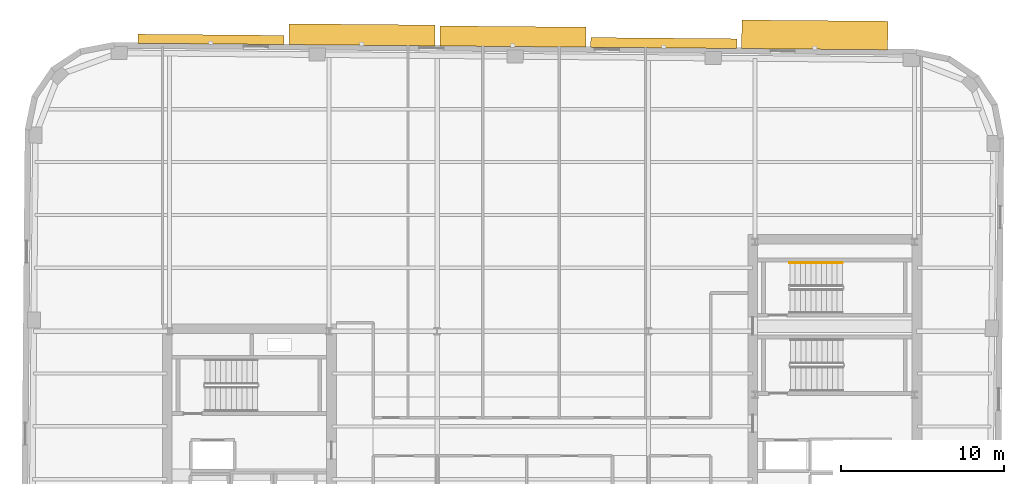
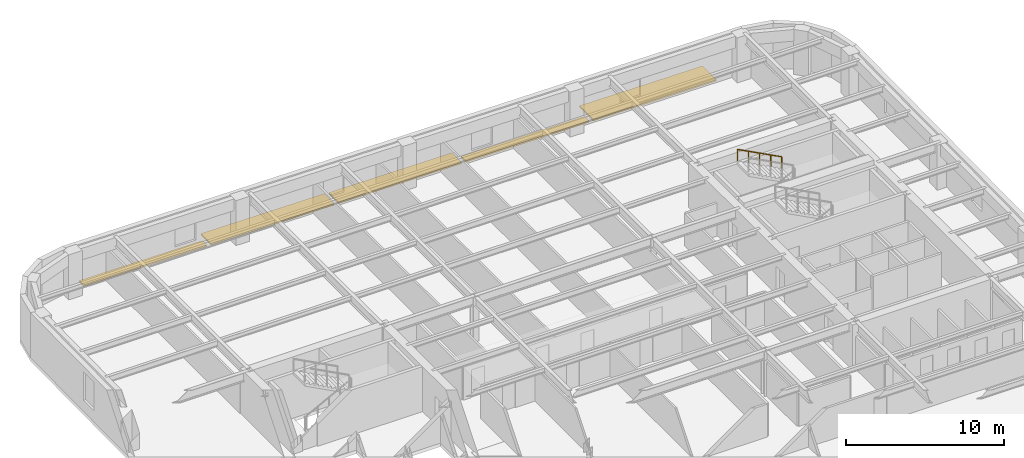
# One storey, part 11 of 11: 5 shading devices, 1 railing.
"""IFC4 building model written with IfcOpenShell, lengths in metres."""

from ifc_helpers import new_model, si_unit, direction, frame, origin, origin_2d, place, context, subcontext, project, spatial, rectangle, circle, extrude, material, type_object, element, save


model = new_model("IFC4")

# Units and contexts
model_context = context("Model", 3, precision=1e-05, world=origin(), true_north=direction((0.0, 1.0)))
body_context = subcontext(model_context, "Body", "Model", "MODEL_VIEW")
ifc_project = project(units=[si_unit("LENGTHUNIT", "METRE"), si_unit("AREAUNIT", "SQUARE_METRE"), si_unit("VOLUMEUNIT", "CUBIC_METRE"), si_unit("PLANEANGLEUNIT", "RADIAN"), si_unit("MASSUNIT", "GRAM", prefix="KILO")], contexts=[model_context])

# Site, building, storey
site_placement = place(None, origin())
site = spatial("IfcSite", under=ifc_project, at=site_placement, CompositionType="ELEMENT")
building_placement = place(site_placement, origin())
building = spatial("IfcBuilding", under=site, at=building_placement, Name="Kolvaren Arena Tower", CompositionType="ELEMENT")
storey_placement = place(building_placement, frame((0.0, 0.0, 184.699951171875)))
storey = spatial("IfcBuildingStorey", under=building, at=storey_placement, Name="L44", CompositionType="ELEMENT", Elevation=184.699951171875)

# Railing
ifc_material_1 = material(Name="Brushed stainless steel handrail", Category="steel")
railing_type = type_object("IfcRailingType", Name="HRAIL-900", PredefinedType="HANDRAIL", material=ifc_material_1)
railing_placement = place(storey_placement, frame((55.919921875, 38.050048828125, 2.04541015625)))
element("IfcRailing", 1, at=railing_placement, inside=storey, type_object=railing_type, Name="L44 ST-E2 stair handrail 2", PredefinedType="HANDRAIL", context=body_context, shape_type="SweptSolid", body=[
    extrude(circle(Radius=0.02392578125, at=origin_2d()), frame((0.0, 0.0, 0.8759765625), z_axis=(-0.884993431791, 0.0, 0.465603506952), x_axis=(0.0, -1.0, 0.0)), (0.0, 0.0, 1.0), 3.6611328125),
    extrude(circle(Radius=0.02099609375, at=origin_2d()), origin(), (0.0, 0.0, 1.0), 0.851806640625),
    extrude(circle(Radius=0.02099609375, at=origin_2d()), frame((-0.81005859375, 0.0, 0.42626953125)), (0.0, 0.0, 1.0), 0.851806640625),
    extrude(circle(Radius=0.02099609375, at=origin_2d()), frame((-1.6201171875, 0.0, 0.852294921875)), (0.0, 0.0, 1.0), 0.851806640625),
    extrude(circle(Radius=0.02099609375, at=origin_2d()), frame((-2.429931640625, 0.0, 1.2783203125)), (0.0, 0.0, 1.0), 0.851806640625),
    extrude(circle(Radius=0.02099609375, at=origin_2d()), frame((-3.239990234375, 0.0, 1.70458984375)), (0.0, 0.0, 1.0), 0.851806640625),
])

# Shading devices
ifc_material_2 = material(Name="Architectural precast GFRC and anodised aluminium sunshade", Category="concrete")
shading_device_type_1 = type_object("IfcShadingDeviceType", Name="SHAD-SINE-A", PredefinedType="USERDEFINED", material=ifc_material_2)
shading_device_1_placement = place(storey_placement, frame((17.091796875, 51.79248046875, -0.139892578125), z_axis=(0.0, 0.0, 1.0), x_axis=(0.999961923064, -0.008726535498, 0.0)))
element("IfcShadingDevice", 2, at=shading_device_1_placement, inside=storey, type_object=shading_device_type_1, Name="Sinusoidal Slab-Edge Sunshade Louvre (L44)", ObjectType="LOUVRE", PredefinedType="USERDEFINED", context=body_context, shape_type="SweptSolid", body=[
    extrude(rectangle(XDim=8.97998046875, YDim=0.560302734375, at=origin_2d()), origin(), (0.0, 0.0, 1.0), 0.1201171875),
])
shading_device_2_placement = place(storey_placement, frame((35.65380859375, 51.965576171875, -0.139892578125), z_axis=(0.0, 0.0, 1.0), x_axis=(0.999961923064, -0.008726535498, 0.0)))
element("IfcShadingDevice", 3, at=shading_device_2_placement, inside=storey, type_object=shading_device_type_1, Name="Sinusoidal Slab-Edge Sunshade Louvre (L44)", ObjectType="LOUVRE", PredefinedType="USERDEFINED", context=body_context, shape_type="SweptSolid", body=[
    extrude(rectangle(XDim=8.97998046875, YDim=1.23046875, at=origin_2d()), origin(), (0.0, 0.0, 1.0), 0.1201171875),
])
shading_device_3_placement = place(storey_placement, frame((44.930908203125, 51.568359375, -0.139892578125), z_axis=(0.0, 0.0, 1.0), x_axis=(0.999961923064, -0.008726535498, 0.0)))
element("IfcShadingDevice", 4, at=shading_device_3_placement, inside=storey, type_object=shading_device_type_1, Name="Sinusoidal Slab-Edge Sunshade Louvre (L44)", ObjectType="LOUVRE", PredefinedType="USERDEFINED", context=body_context, shape_type="SweptSolid", body=[
    extrude(rectangle(XDim=8.97998046875, YDim=0.59765625, at=origin_2d()), origin(), (0.0, 0.0, 1.0), 0.1201171875),
])
shading_device_type_2 = type_object("IfcShadingDeviceType", Name="SHAD-SINE-B", PredefinedType="JALOUSIE", material=ifc_material_2)
shading_device_4_placement = place(storey_placement, frame((26.37451171875, 52.0712890625, -0.139892578125), z_axis=(0.0, 0.0, 1.0), x_axis=(0.999961923064, -0.008726535498, 0.0)))
element("IfcShadingDevice", 5, at=shading_device_4_placement, inside=storey, type_object=shading_device_type_2, Name="Sinusoidal Slab-Edge Sunshade Louvre (L44)", PredefinedType="JALOUSIE", context=body_context, shape_type="SweptSolid", body=[
    extrude(rectangle(XDim=8.97998046875, YDim=1.280029296875, at=origin_2d()), origin(), (0.0, 0.0, 1.0), 0.1201171875),
])
shading_device_5_placement = place(storey_placement, frame((54.215576171875, 52.066650390625, -0.139892578125), z_axis=(0.0, 0.0, 1.0), x_axis=(0.999961923064, -0.008726535498, 0.0)))
element("IfcShadingDevice", 6, at=shading_device_5_placement, inside=storey, type_object=shading_device_type_2, Name="Sinusoidal Slab-Edge Sunshade Louvre (L44)", PredefinedType="JALOUSIE", context=body_context, shape_type="SweptSolid", body=[
    extrude(rectangle(XDim=8.97998046875, YDim=1.756103515625, at=origin_2d()), origin(), (0.0, 0.0, 1.0), 0.1201171875),
])

save(model, "model.ifc")
